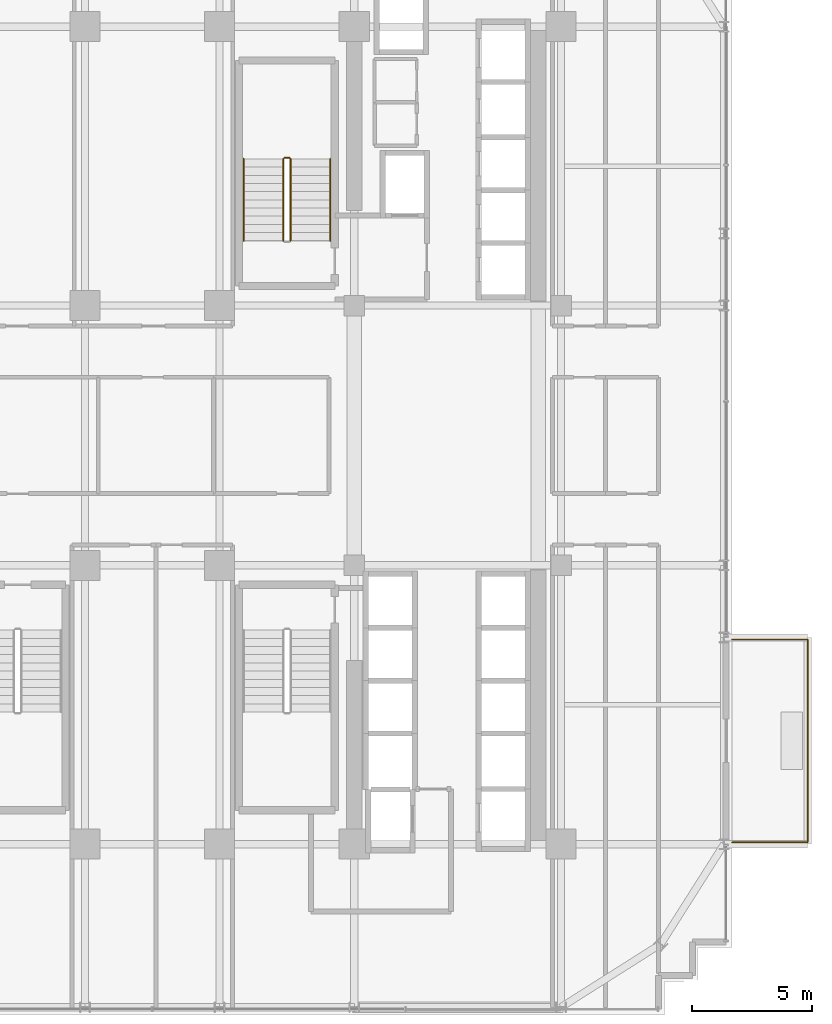
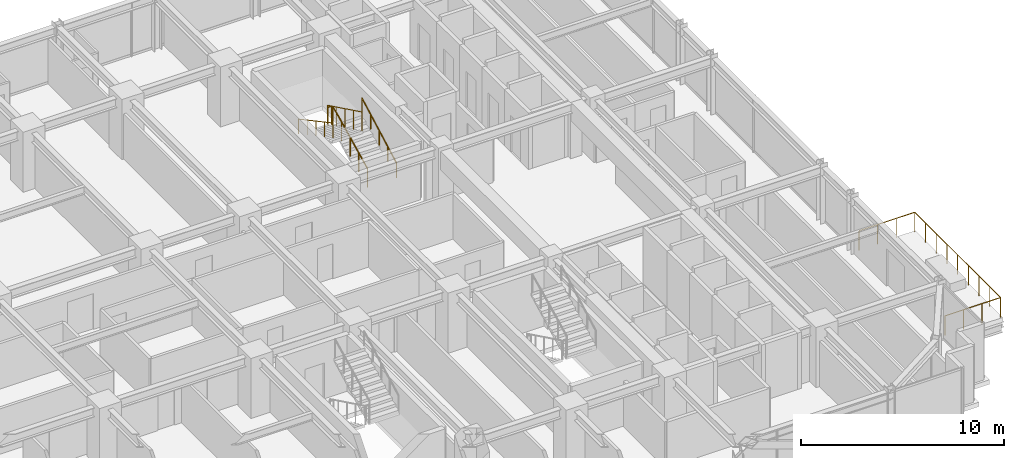
# One storey, part 32 of 34: 6 railings.
"""IFC4 building model written with IfcOpenShell, lengths in metres."""

from ifc_helpers import new_model, si_unit, direction, frame, origin, origin_2d, place, context, subcontext, project, spatial, circle, extrude, material, type_object, element, save


model = new_model("IFC4")

# Units and contexts
model_context = context("Model", 3, precision=1e-05, world=origin(), true_north=direction((0.0, 1.0)))
body_context = subcontext(model_context, "Body", "Model", "MODEL_VIEW")
ifc_project = project(units=[si_unit("LENGTHUNIT", "METRE"), si_unit("AREAUNIT", "SQUARE_METRE"), si_unit("VOLUMEUNIT", "CUBIC_METRE"), si_unit("PLANEANGLEUNIT", "RADIAN"), si_unit("MASSUNIT", "GRAM", prefix="KILO")], contexts=[model_context])

# Site, building, storey
site_placement = place(None, origin())
site = spatial("IfcSite", under=ifc_project, at=site_placement, CompositionType="ELEMENT")
building_placement = place(site_placement, origin())
building = spatial("IfcBuilding", under=site, at=building_placement, Name="Nahalor Promenade Grand Hotel", CompositionType="ELEMENT")
storey_placement = place(building_placement, frame((0.0, 0.0, 128.449951171875)))
storey = spatial("IfcBuildingStorey", under=building, at=storey_placement, Name="L32", CompositionType="ELEMENT", Elevation=128.449951171875)

# Railings
ifc_material_1 = material(Name="Anodised Bronze Aluminium EN AW-6063 T6", Category="aluminium")
railing_type_1 = type_object("IfcRailingType", Name="Bronze Balcony Guardrail 1200 mm", PredefinedType="GUARDRAIL", material=ifc_material_1)
railing_1_placement = place(storey_placement, frame((24.10009765625, -16.919921875, 0.0)))
element("IfcRailing", 1, at=railing_1_placement, inside=storey, type_object=railing_type_1, Name="L32 Balcony Guardrail 2", PredefinedType="GUARDRAIL", context=body_context, shape_type="SweptSolid", body=[
    extrude(circle(Radius=0.024048, at=origin_2d()), frame((0.0, 0.0, 1.17578125), z_axis=(1.0, 0.0, 0.0), x_axis=(0.0, 1.0, 0.0)), (0.0, 0.0, 1.0), 3.157958984375),
    extrude(circle(Radius=0.024048, at=origin_2d()), frame((3.159912109375, 0.001953125, 1.17578125), z_axis=(0.0, 1.0, 0.0), x_axis=(-1.0, 0.0, 0.0)), (0.0, 0.0, 1.0), 8.43603515625),
    extrude(circle(Radius=0.024048, at=origin_2d()), frame((3.157958984375, 8.43994140625, 1.17578125), z_axis=(-1.0, 0.0, 0.0), x_axis=(0.0, -1.0, 0.0)), (0.0, 0.0, 1.0), 3.157958984375),
    extrude(circle(Radius=0.020996, at=origin_2d()), origin(), (0.0, 0.0, 1.0), 1.14990234375),
    extrude(circle(Radius=0.020996, at=origin_2d()), frame((1.05322265625, 0.0, 0.0)), (0.0, 0.0, 1.0), 1.14990234375),
    extrude(circle(Radius=0.020996, at=origin_2d()), frame((2.106689453125, 0.0, 0.0)), (0.0, 0.0, 1.0), 1.14990234375),
    extrude(circle(Radius=0.020996, at=origin_2d()), frame((3.159912109375, 0.0, 0.0)), (0.0, 0.0, 1.0), 1.14990234375),
    extrude(circle(Radius=0.020996, at=origin_2d()), frame((3.159912109375, 1.054931640625, 0.0)), (0.0, 0.0, 1.0), 1.14990234375),
    extrude(circle(Radius=0.020996, at=origin_2d()), frame((3.159912109375, 2.10986328125, 0.0)), (0.0, 0.0, 1.0), 1.14990234375),
    extrude(circle(Radius=0.020996, at=origin_2d()), frame((3.159912109375, 3.1650390625, 0.0)), (0.0, 0.0, 1.0), 1.14990234375),
    extrude(circle(Radius=0.020996, at=origin_2d()), frame((3.159912109375, 4.219970703125, 0.0)), (0.0, 0.0, 1.0), 1.14990234375),
    extrude(circle(Radius=0.020996, at=origin_2d()), frame((3.159912109375, 5.27490234375, 0.0)), (0.0, 0.0, 1.0), 1.14990234375),
    extrude(circle(Radius=0.020996, at=origin_2d()), frame((3.159912109375, 6.330078125, 0.0)), (0.0, 0.0, 1.0), 1.14990234375),
    extrude(circle(Radius=0.020996, at=origin_2d()), frame((3.159912109375, 7.385009765625, 0.0)), (0.0, 0.0, 1.0), 1.14990234375),
    extrude(circle(Radius=0.020996, at=origin_2d()), frame((3.159912109375, 8.43994140625, 0.0)), (0.0, 0.0, 1.0), 1.14990234375),
    extrude(circle(Radius=0.020996, at=origin_2d()), frame((2.106689453125, 8.43994140625, 0.0)), (0.0, 0.0, 1.0), 1.14990234375),
    extrude(circle(Radius=0.020996, at=origin_2d()), frame((1.05322265625, 8.43994140625, 0.0)), (0.0, 0.0, 1.0), 1.14990234375),
    extrude(circle(Radius=0.020996, at=origin_2d()), frame((0.0, 8.43994140625, 0.0)), (0.0, 0.0, 1.0), 1.14990234375),
])
ifc_material_2 = material(Name="Steel S355JR", Category="steel")
railing_type_2 = type_object("IfcRailingType", Name="Steel Stair Guardrail 1150 mm", PredefinedType="GUARDRAIL", material=ifc_material_2)
railing_2_placement = place(storey_placement, frame((5.75, 8.10009765625, 0.166015625)))
element("IfcRailing", 2, at=railing_2_placement, inside=storey, type_object=railing_type_2, Name="L32 ST1 stair guard 1", PredefinedType="GUARDRAIL", context=body_context, shape_type="SweptSolid", body=[
    extrude(circle(Radius=0.024048, at=origin_2d()), frame((0.0, 0.0, 1.1259765625), z_axis=(0.0, 0.898721922897, 0.438518990814), x_axis=(-1.0, 0.0, 0.0)), (0.0, 0.0, 1.0), 3.782958984375),
    extrude(circle(Radius=0.020996, at=origin_2d()), origin(), (0.0, 0.0, 1.0), 1.099853515625),
    extrude(circle(Radius=0.020996, at=origin_2d()), frame((0.0, 0.85009765625, 0.414794921875)), (0.0, 0.0, 1.0), 1.099853515625),
    extrude(circle(Radius=0.020996, at=origin_2d()), frame((0.0, 1.699951171875, 0.82958984375)), (0.0, 0.0, 1.0), 1.099853515625),
    extrude(circle(Radius=0.020996, at=origin_2d()), frame((0.0, 2.5498046875, 1.244140625)), (0.0, 0.0, 1.0), 1.099853515625),
    extrude(circle(Radius=0.020996, at=origin_2d()), frame((0.0, 3.39990234375, 1.658935546875)), (0.0, 0.0, 1.0), 1.099853515625),
])
railing_3_placement = place(storey_placement, frame((5.699951171875, 11.550048828125, 1.824951171875)))
element("IfcRailing", 3, at=railing_3_placement, inside=storey, type_object=railing_type_2, Name="L32 ST1 stair guard 2", PredefinedType="GUARDRAIL", context=body_context, shape_type="SweptSolid", body=[
    extrude(circle(Radius=0.024048, at=origin_2d()), frame((0.0, 0.0, 1.1259765625), z_axis=(-1.0, 0.0, 0.0), x_axis=(0.0, -1.0, 0.0)), (0.0, 0.0, 1.0), 0.199951171875),
    extrude(circle(Radius=0.020996, at=origin_2d()), origin(), (0.0, 0.0, 1.0), 1.099853515625),
    extrude(circle(Radius=0.020996, at=origin_2d()), frame((-0.199951171875, 0.0, 0.0)), (0.0, 0.0, 1.0), 1.099853515625),
])
railing_4_placement = place(storey_placement, frame((5.449951171875, 11.5, 1.990966796875)))
element("IfcRailing", 4, at=railing_4_placement, inside=storey, type_object=railing_type_2, Name="L32 ST1 stair guard 3", PredefinedType="GUARDRAIL", context=body_context, shape_type="SweptSolid", body=[
    extrude(circle(Radius=0.024048, at=origin_2d()), frame((0.0, 0.0, 1.1259765625), z_axis=(0.0, -0.898696488221, 0.438571114028), x_axis=(1.0, 0.0, 0.0)), (0.0, 0.0, 1.0), 3.783203125),
    extrude(circle(Radius=0.020996, at=origin_2d()), origin(), (0.0, 0.0, 1.0), 1.099853515625),
    extrude(circle(Radius=0.020996, at=origin_2d()), frame((0.0, -0.85009765625, 0.414794921875)), (0.0, 0.0, 1.0), 1.099853515625),
    extrude(circle(Radius=0.020996, at=origin_2d()), frame((0.0, -1.699951171875, 0.82958984375)), (0.0, 0.0, 1.0), 1.099853515625),
    extrude(circle(Radius=0.020996, at=origin_2d()), frame((0.0, -2.5498046875, 1.244384765625)), (0.0, 0.0, 1.0), 1.099853515625),
    extrude(circle(Radius=0.020996, at=origin_2d()), frame((0.0, -3.39990234375, 1.6591796875)), (0.0, 0.0, 1.0), 1.099853515625),
])
railing_type_3 = type_object("IfcRailingType", Name="Steel Stair Handrail 900 mm", PredefinedType="HANDRAIL", material=ifc_material_2)
railing_5_placement = place(storey_placement, frame((7.39990234375, 8.10009765625, 0.166015625)))
element("IfcRailing", 5, at=railing_5_placement, inside=storey, type_object=railing_type_3, Name="L32 ST1 stair handrail 1", PredefinedType="HANDRAIL", context=body_context, shape_type="SweptSolid", body=[
    extrude(circle(Radius=0.024048, at=origin_2d()), frame((0.0, 0.0, 0.8759765625), z_axis=(0.0, 0.881094038095, 0.47294111265), x_axis=(-1.0, 0.0, 0.0)), (0.0, 0.0, 1.0), 3.858642578125),
    extrude(circle(Radius=0.020996, at=origin_2d()), origin(), (0.0, 0.0, 1.0), 0.849853515625),
    extrude(circle(Radius=0.020996, at=origin_2d()), frame((0.0, 0.85009765625, 0.456298828125)), (0.0, 0.0, 1.0), 0.849853515625),
    extrude(circle(Radius=0.020996, at=origin_2d()), frame((0.0, 1.699951171875, 0.91259765625)), (0.0, 0.0, 1.0), 0.849853515625),
    extrude(circle(Radius=0.020996, at=origin_2d()), frame((0.0, 2.5498046875, 1.36865234375)), (0.0, 0.0, 1.0), 0.849853515625),
    extrude(circle(Radius=0.020996, at=origin_2d()), frame((0.0, 3.39990234375, 1.824951171875)), (0.0, 0.0, 1.0), 0.849853515625),
])
railing_6_placement = place(storey_placement, frame((3.800048828125, 11.5, 1.990966796875)))
element("IfcRailing", 6, at=railing_6_placement, inside=storey, type_object=railing_type_3, Name="L32 ST1 stair handrail 2", PredefinedType="HANDRAIL", context=body_context, shape_type="SweptSolid", body=[
    extrude(circle(Radius=0.024048, at=origin_2d()), frame((0.0, 0.0, 0.8759765625), z_axis=(0.0, -0.881094038095, 0.47294111265), x_axis=(1.0, 0.0, 0.0)), (0.0, 0.0, 1.0), 3.858642578125),
    extrude(circle(Radius=0.020996, at=origin_2d()), origin(), (0.0, 0.0, 1.0), 0.849853515625),
    extrude(circle(Radius=0.020996, at=origin_2d()), frame((0.0, -0.85009765625, 0.456298828125)), (0.0, 0.0, 1.0), 0.849853515625),
    extrude(circle(Radius=0.020996, at=origin_2d()), frame((0.0, -1.699951171875, 0.91259765625)), (0.0, 0.0, 1.0), 0.849853515625),
    extrude(circle(Radius=0.020996, at=origin_2d()), frame((0.0, -2.5498046875, 1.36865234375)), (0.0, 0.0, 1.0), 0.849853515625),
    extrude(circle(Radius=0.020996, at=origin_2d()), frame((0.0, -3.39990234375, 1.824951171875)), (0.0, 0.0, 1.0), 0.849853515625),
])

save(model, "model.ifc")
